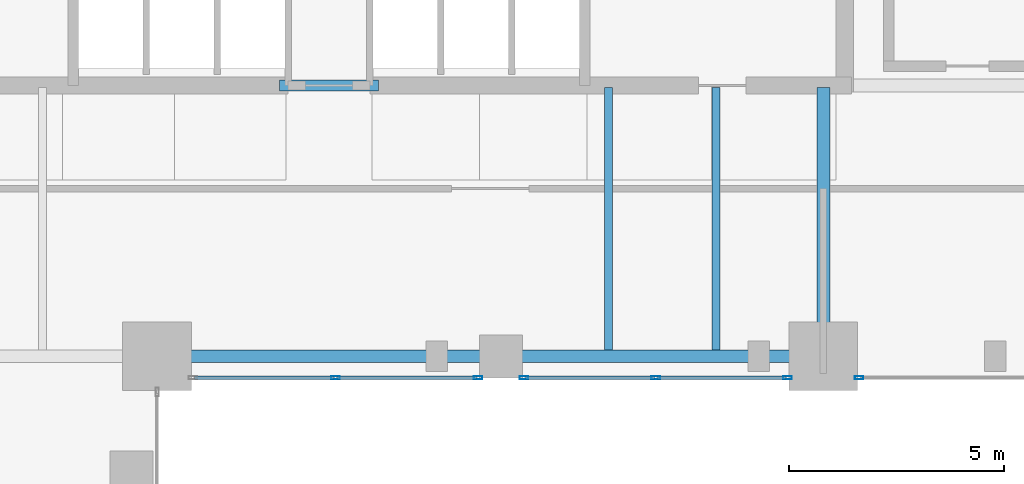
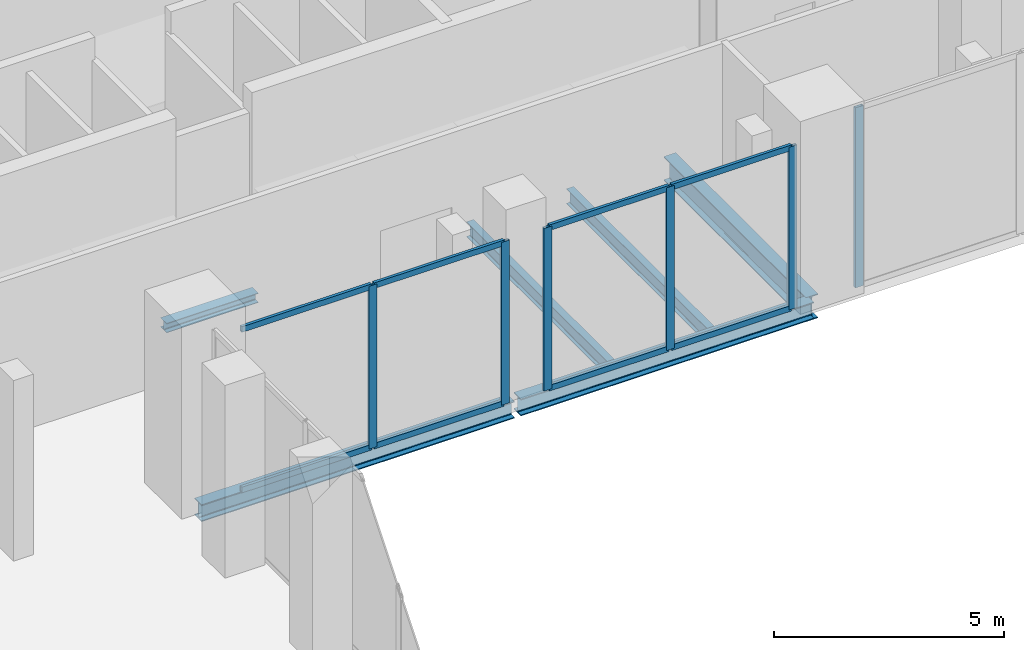
# One storey, part 10 of 24: 14 members, 6 beams, 3 elements without a shape of their own.
"""IFC4 building model written with IfcOpenShell, lengths in metres."""

from ifc_helpers import new_model, si_unit, direction, frame, origin, origin_2d, place, context, subcontext, project, spatial, hollow_rectangle, i_section, extrude, material, layer, layer_set, material_profile, profile_set, type_object, element, aggregate, save


model = new_model("IFC4")

# Units and contexts
model_context = context("Model", 3, precision=1e-05, world=origin(), true_north=direction((0.0, 1.0)))
body_context = subcontext(model_context, "Body", "Model", "MODEL_VIEW")
ifc_project = project(units=[si_unit("LENGTHUNIT", "METRE"), si_unit("AREAUNIT", "SQUARE_METRE"), si_unit("VOLUMEUNIT", "CUBIC_METRE"), si_unit("PLANEANGLEUNIT", "RADIAN"), si_unit("MASSUNIT", "GRAM", prefix="KILO")], contexts=[model_context])

# Site, building, storey
site_placement = place(None, origin())
site = spatial("IfcSite", under=ifc_project, at=site_placement, CompositionType="ELEMENT")
building_placement = place(site_placement, origin())
building = spatial("IfcBuilding", under=site, at=building_placement, Name="Catumbela Crestline Tower", CompositionType="ELEMENT")
storey_placement = place(building_placement, frame((0.0, 0.0, 6.0)))
storey = spatial("IfcBuildingStorey", under=building, at=storey_placement, Name="L01", CompositionType="ELEMENT", Elevation=6.0)

# Beams
ifc_material_1 = material(Name="Structural steel S355J2", Category="steel")
ifc_material_profile_1 = material_profile(ifc_material_1, i_section(OverallWidth=0.3, OverallDepth=0.64, WebThickness=0.0135, FlangeThickness=0.026, FilletRadius=0.027, at=origin_2d()), Name="HEA 650")
ifc_profile_set_1 = profile_set([ifc_material_profile_1], Name="Structural steel S355J2")
beam_type_1 = type_object("IfcBeamType", Name="BG-HEA650", PredefinedType="BEAM", material=ifc_profile_set_1)
beam_1_placement = place(storey_placement, frame((39.5, 24.58, -0.64), z_axis=(0.0, 1.0, 0.0), x_axis=(-1.0, 0.0, 0.0)))
element("IfcBeam", 1, at=beam_1_placement, inside=storey, type_object=beam_type_1, Name="L01 Beam BM-L01-SNS32", PredefinedType="BEAM", context=body_context, shape_type="SweptSolid", body=[
    extrude(i_section(OverallWidth=0.3, OverallDepth=0.64, WebThickness=0.0135, FlangeThickness=0.026, FilletRadius=0.027, at=origin_2d()), origin(), (0.0, 0.0, 1.0), 6.17),
])
ifc_material_profile_2 = material_profile(ifc_material_1, i_section(OverallWidth=0.26, OverallDepth=0.25, WebThickness=0.0075, FlangeThickness=0.0125, FilletRadius=0.024, at=origin_2d()), Name="HEA 260")
ifc_profile_set_2 = profile_set([ifc_material_profile_2], Name="Structural steel S355J2")
beam_type_2 = type_object("IfcBeamType", Name="BL-240", PredefinedType="LINTEL", material=ifc_profile_set_2)
beam_2_placement = place(storey_placement, frame((26.85, 30.8, -0.445), z_axis=(1.0, 0.0, 0.0), x_axis=(0.0, 1.0, 0.0)))
element("IfcBeam", 2, at=beam_2_placement, inside=storey, type_object=beam_type_2, Name="L01 Core Lobby Portal Lintel Beam", PredefinedType="LINTEL", context=body_context, shape_type="SweptSolid", body=[
    extrude(i_section(OverallWidth=0.26, OverallDepth=0.25, WebThickness=0.0075, FlangeThickness=0.0125, FilletRadius=0.024, at=origin_2d()), origin(), (0.0, 0.0, 1.0), 2.3),
])
ifc_material_profile_3 = material_profile(ifc_material_1, i_section(OverallWidth=0.18, OverallDepth=0.4, WebThickness=0.0086, FlangeThickness=0.0135, FilletRadius=0.021, at=origin_2d()), Name="IPE 400")
ifc_profile_set_3 = profile_set([ifc_material_profile_3], Name="Structural steel S355J2")
beam_type_3 = type_object("IfcBeamType", Name="BJ-IPE400", PredefinedType="JOIST", material=ifc_profile_set_3)
for number, where, z_axis, x_axis, name in (
    (3, (34.5, 24.647, -0.52), (0.0, 1.0, 0.0), (-1.0, 0.0, 0.0), "L01 Joist JS-L01-SP41"),
    (4, (37.0, 24.647, -0.52), (0.0, 1.0, 0.0), (-1.0, 0.0, 0.0), "L01 Joist JS-L01-SP42"),
):
    element("IfcBeam", number, at=place(storey_placement, frame(where, z_axis=z_axis, x_axis=x_axis)), inside=storey, type_object=beam_type_3, Name=name, PredefinedType="JOIST", context=body_context, shape_type="SweptSolid", body=[
        extrude(i_section(OverallWidth=0.18, OverallDepth=0.4, WebThickness=0.0086, FlangeThickness=0.0135, FilletRadius=0.021, at=origin_2d()), origin(), (0.0, 0.0, 1.0), 6.103),
    ])

# Curtain wall, members
ifc_material_2 = material(Name="Aluminium alloy AW-6060-T66", Category="aluminium")
ifc_layer = layer(ifc_material_2, 0.18, Name="Aluminium alloy AW-6060-T66")
ifc_layer_set = layer_set([ifc_layer], Name="Aluminium alloy AW-6060-T66")
curtain_wall_type = type_object("IfcCurtainWallType", Name="CWS-POD", PredefinedType="USERDEFINED", material=ifc_layer_set)
curtain_wall_1_placement = place(storey_placement, origin())
curtain_wall_1 = element("IfcCurtainWall", 5, at=curtain_wall_1_placement, inside=storey, type_object=curtain_wall_type, Name="L01 Stick Curtain Wall CW-L01-E3S1", ObjectType="STICK", PredefinedType="USERDEFINED")
ifc_material_profile_4 = material_profile(ifc_material_2, hollow_rectangle(XDim=0.075, YDim=0.2, WallThickness=0.005, at=origin_2d()), Name="ALU 200x75x5")
ifc_profile_set_4 = profile_set([ifc_material_profile_4], Name="Aluminium alloy AW-6060-T66")
member_type_1 = type_object("IfcMemberType", Name="MUL-200X75", PredefinedType="MULLION", material=ifc_profile_set_4)
member_1_placement = place(storey_placement, frame((28.15, 24.0, 0.0), z_axis=(0.0, 0.0, 1.0), x_axis=(0.0, 1.0, 0.0)))
member_1 = element("IfcMember", 6, at=member_1_placement, type_object=member_type_1, Name="CWS-POD mullion 2", PredefinedType="MULLION", context=body_context, shape_type="SweptSolid", body=[
    extrude(hollow_rectangle(XDim=0.075, YDim=0.2, WallThickness=0.005, at=origin_2d()), origin(), (0.0, 0.0, 1.0), 4.31),
])
member_2_placement = place(storey_placement, frame((31.4675, 24.0, 0.0), z_axis=(0.0, 0.0, 1.0), x_axis=(0.0, 1.0, 0.0)))
member_2 = element("IfcMember", 7, at=member_2_placement, type_object=member_type_1, Name="CWS-POD mullion 3", PredefinedType="MULLION", context=body_context, shape_type="SweptSolid", body=[
    extrude(hollow_rectangle(XDim=0.075, YDim=0.2, WallThickness=0.005, at=origin_2d()), origin(), (0.0, 0.0, 1.0), 4.31),
])

curtain_wall_2_placement = place(storey_placement, origin())
curtain_wall_2 = element("IfcCurtainWall", 8, at=curtain_wall_2_placement, inside=storey, type_object=curtain_wall_type, Name="L01 Stick Curtain Wall CW-L01-E3S2", ObjectType="STICK", PredefinedType="USERDEFINED")
member_3_placement = place(storey_placement, frame((32.5325, 24.0, 0.0), z_axis=(0.0, 0.0, 1.0), x_axis=(0.0, 1.0, 0.0)))
member_3 = element("IfcMember", 9, at=member_3_placement, type_object=member_type_1, Name="CWS-POD mullion 1", PredefinedType="MULLION", context=body_context, shape_type="SweptSolid", body=[
    extrude(hollow_rectangle(XDim=0.075, YDim=0.2, WallThickness=0.005, at=origin_2d()), origin(), (0.0, 0.0, 1.0), 4.31),
])
member_4_placement = place(storey_placement, frame((35.6, 24.0, 0.0), z_axis=(0.0, 0.0, 1.0), x_axis=(0.0, 1.0, 0.0)))
member_4 = element("IfcMember", 10, at=member_4_placement, type_object=member_type_1, Name="CWS-POD mullion 2", PredefinedType="MULLION", context=body_context, shape_type="SweptSolid", body=[
    extrude(hollow_rectangle(XDim=0.075, YDim=0.2, WallThickness=0.005, at=origin_2d()), origin(), (0.0, 0.0, 1.0), 4.31),
])
member_5_placement = place(storey_placement, frame((38.6675, 24.0, 0.0), z_axis=(0.0, 0.0, 1.0), x_axis=(0.0, 1.0, 0.0)))
member_5 = element("IfcMember", 11, at=member_5_placement, type_object=member_type_1, Name="CWS-POD mullion 3", PredefinedType="MULLION", context=body_context, shape_type="SweptSolid", body=[
    extrude(hollow_rectangle(XDim=0.075, YDim=0.2, WallThickness=0.005, at=origin_2d()), origin(), (0.0, 0.0, 1.0), 4.31),
])

# Curtain wall, member
curtain_wall_3_placement = place(storey_placement, origin())
curtain_wall_3 = element("IfcCurtainWall", 12, at=curtain_wall_3_placement, inside=storey, type_object=curtain_wall_type, Name="L01 Stick Curtain Wall CW-L01-E3S3", ObjectType="STICK", PredefinedType="USERDEFINED")
member_6_placement = place(storey_placement, frame((40.3325, 24.0, 0.0), z_axis=(0.0, 0.0, 1.0), x_axis=(0.0, 1.0, 0.0)))
member_6 = element("IfcMember", 13, at=member_6_placement, type_object=member_type_1, Name="CWS-POD mullion 1", PredefinedType="MULLION", context=body_context, shape_type="SweptSolid", body=[
    extrude(hollow_rectangle(XDim=0.075, YDim=0.2, WallThickness=0.005, at=origin_2d()), origin(), (0.0, 0.0, 1.0), 4.77),
])
aggregate(curtain_wall_3, [member_6])

# Beams
ifc_material_profile_5 = material_profile(ifc_material_1, i_section(OverallWidth=0.3, OverallDepth=0.45, WebThickness=0.014, FlangeThickness=0.026, FilletRadius=0.027, at=origin_2d()), Name="HEB 450")
ifc_profile_set_5 = profile_set([ifc_material_profile_5], Name="Structural steel S355J2")
beam_type_4 = type_object("IfcBeamType", Name="BS-HEB450", PredefinedType="SPANDREL", material=ifc_profile_set_5)
beam_3_placement = place(storey_placement, frame((24.08, 24.5, -0.545), z_axis=(1.0, 0.0, 0.0), x_axis=(0.0, 1.0, 0.0)))
element("IfcBeam", 14, at=beam_3_placement, inside=storey, type_object=beam_type_4, Name="L01 Spandrel SP-L01-S05", PredefinedType="SPANDREL", context=body_context, shape_type="SweptSolid", body=[
    extrude(i_section(OverallWidth=0.3, OverallDepth=0.45, WebThickness=0.014, FlangeThickness=0.026, FilletRadius=0.027, at=origin_2d()), origin(), (0.0, 0.0, 1.0), 7.84),
])
beam_4_placement = place(storey_placement, frame((32.08, 24.5, -0.545), z_axis=(1.0, 0.0, 0.0), x_axis=(0.0, 1.0, 0.0)))
element("IfcBeam", 15, at=beam_4_placement, inside=storey, type_object=beam_type_4, Name="L01 Spandrel SP-L01-S06", PredefinedType="SPANDREL", context=body_context, shape_type="SweptSolid", body=[
    extrude(i_section(OverallWidth=0.3, OverallDepth=0.45, WebThickness=0.014, FlangeThickness=0.026, FilletRadius=0.027, at=origin_2d()), origin(), (0.0, 0.0, 1.0), 7.34),
])

# Member
ifc_material_profile_6 = material_profile(ifc_material_2, hollow_rectangle(XDim=0.075, YDim=0.15, WallThickness=0.0045, at=origin_2d()), Name="ALU 150x75x4.5")
ifc_profile_set_6 = profile_set([ifc_material_profile_6], Name="Aluminium alloy AW-6060-T66")
member_type_2 = type_object("IfcMemberType", Name="TRN-150X75", PredefinedType="USERDEFINED", material=ifc_profile_set_6)
member_7_placement = place(storey_placement, frame((24.865, 24.0, 0.03), z_axis=(1.0, 0.0, 0.0), x_axis=(0.0, 1.0, 0.0)))
member_7 = element("IfcMember", 16, at=member_7_placement, type_object=member_type_2, Name="CWS-POD transom 1.1", ObjectType="TRANSOM", PredefinedType="USERDEFINED", context=body_context, shape_type="SweptSolid", body=[
    extrude(hollow_rectangle(XDim=0.075, YDim=0.15, WallThickness=0.0045, at=origin_2d()), origin(), (0.0, 0.0, 1.0), 3.2525),
])

member_8_placement = place(storey_placement, frame((24.865, 24.0, 4.28), z_axis=(1.0, 0.0, 0.0), x_axis=(0.0, 1.0, 0.0)))
member_8 = element("IfcMember", 17, at=member_8_placement, type_object=member_type_2, Name="CWS-POD transom 1.2", ObjectType="TRANSOM", PredefinedType="USERDEFINED", context=body_context, shape_type="SweptSolid", body=[
    extrude(hollow_rectangle(XDim=0.075, YDim=0.15, WallThickness=0.0045, at=origin_2d()), origin(), (0.0, 0.0, 1.0), 3.2525),
])

member_9_placement = place(storey_placement, frame((28.1825, 24.0, 0.03), z_axis=(1.0, 0.0, 0.0), x_axis=(0.0, 1.0, 0.0)))
member_9 = element("IfcMember", 18, at=member_9_placement, type_object=member_type_2, Name="CWS-POD transom 2.1", ObjectType="TRANSOM", PredefinedType="USERDEFINED", context=body_context, shape_type="SweptSolid", body=[
    extrude(hollow_rectangle(XDim=0.075, YDim=0.15, WallThickness=0.0045, at=origin_2d()), origin(), (0.0, 0.0, 1.0), 3.2525),
])

member_10_placement = place(storey_placement, frame((28.1825, 24.0, 4.28), z_axis=(1.0, 0.0, 0.0), x_axis=(0.0, 1.0, 0.0)))
member_10 = element("IfcMember", 19, at=member_10_placement, type_object=member_type_2, Name="CWS-POD transom 2.2", ObjectType="TRANSOM", PredefinedType="USERDEFINED", context=body_context, shape_type="SweptSolid", body=[
    extrude(hollow_rectangle(XDim=0.075, YDim=0.15, WallThickness=0.0045, at=origin_2d()), origin(), (0.0, 0.0, 1.0), 3.2525),
])

aggregate(curtain_wall_1, [member_1, member_2, member_7, member_8, member_9, member_10])

member_11_placement = place(storey_placement, frame((32.565, 24.0, 0.03), z_axis=(1.0, 0.0, 0.0), x_axis=(0.0, 1.0, 0.0)))
member_11 = element("IfcMember", 20, at=member_11_placement, type_object=member_type_2, Name="CWS-POD transom 1.1", ObjectType="TRANSOM", PredefinedType="USERDEFINED", context=body_context, shape_type="SweptSolid", body=[
    extrude(hollow_rectangle(XDim=0.075, YDim=0.15, WallThickness=0.0045, at=origin_2d()), origin(), (0.0, 0.0, 1.0), 3.0025),
])

member_12_placement = place(storey_placement, frame((32.565, 24.0, 4.28), z_axis=(1.0, 0.0, 0.0), x_axis=(0.0, 1.0, 0.0)))
member_12 = element("IfcMember", 21, at=member_12_placement, type_object=member_type_2, Name="CWS-POD transom 1.2", ObjectType="TRANSOM", PredefinedType="USERDEFINED", context=body_context, shape_type="SweptSolid", body=[
    extrude(hollow_rectangle(XDim=0.075, YDim=0.15, WallThickness=0.0045, at=origin_2d()), origin(), (0.0, 0.0, 1.0), 3.0025),
])

member_13_placement = place(storey_placement, frame((35.6325, 24.0, 0.03), z_axis=(1.0, 0.0, 0.0), x_axis=(0.0, 1.0, 0.0)))
member_13 = element("IfcMember", 22, at=member_13_placement, type_object=member_type_2, Name="CWS-POD transom 2.1", ObjectType="TRANSOM", PredefinedType="USERDEFINED", context=body_context, shape_type="SweptSolid", body=[
    extrude(hollow_rectangle(XDim=0.075, YDim=0.15, WallThickness=0.0045, at=origin_2d()), origin(), (0.0, 0.0, 1.0), 3.0025),
])

member_14_placement = place(storey_placement, frame((35.6325, 24.0, 4.28), z_axis=(1.0, 0.0, 0.0), x_axis=(0.0, 1.0, 0.0)))
member_14 = element("IfcMember", 23, at=member_14_placement, type_object=member_type_2, Name="CWS-POD transom 2.2", ObjectType="TRANSOM", PredefinedType="USERDEFINED", context=body_context, shape_type="SweptSolid", body=[
    extrude(hollow_rectangle(XDim=0.075, YDim=0.15, WallThickness=0.0045, at=origin_2d()), origin(), (0.0, 0.0, 1.0), 3.0025),
])

aggregate(curtain_wall_2, [member_3, member_4, member_5, member_11, member_12, member_13, member_14])

save(model, "model.ifc")
